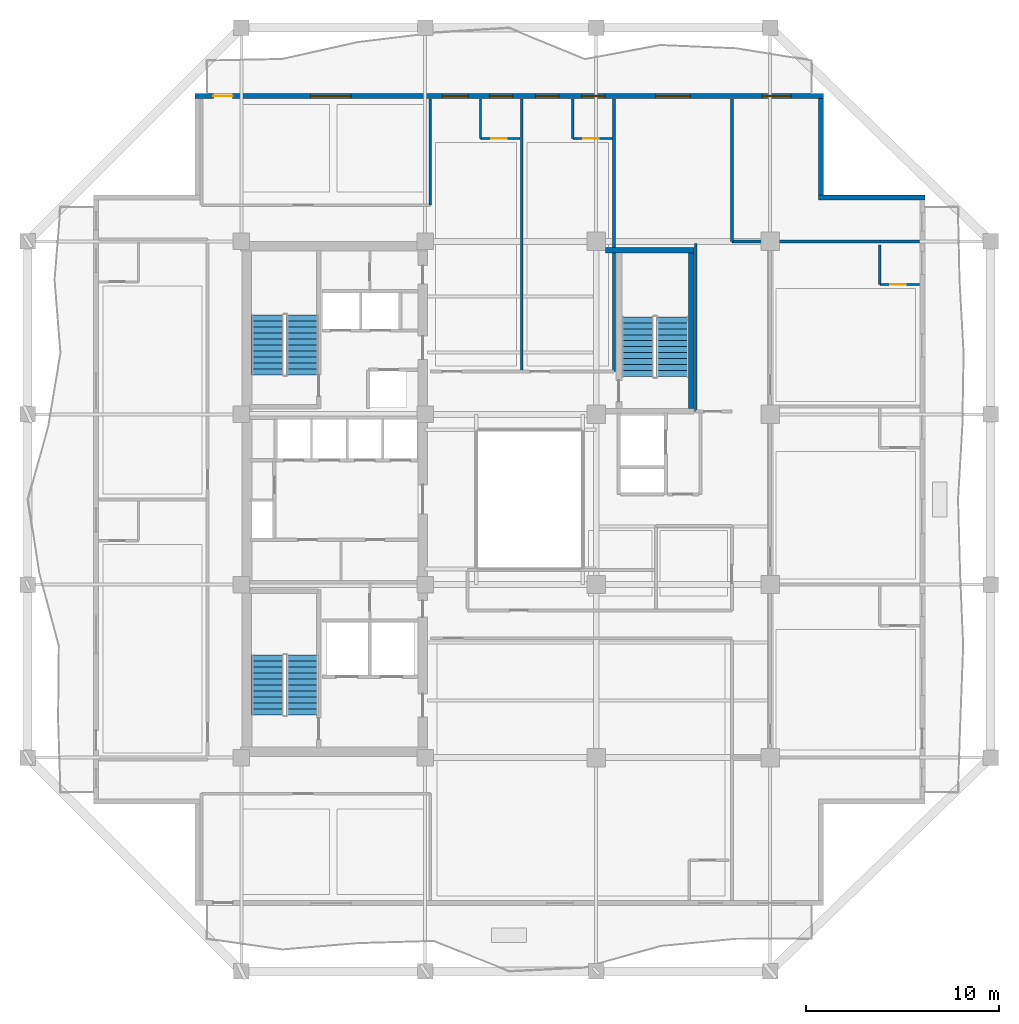
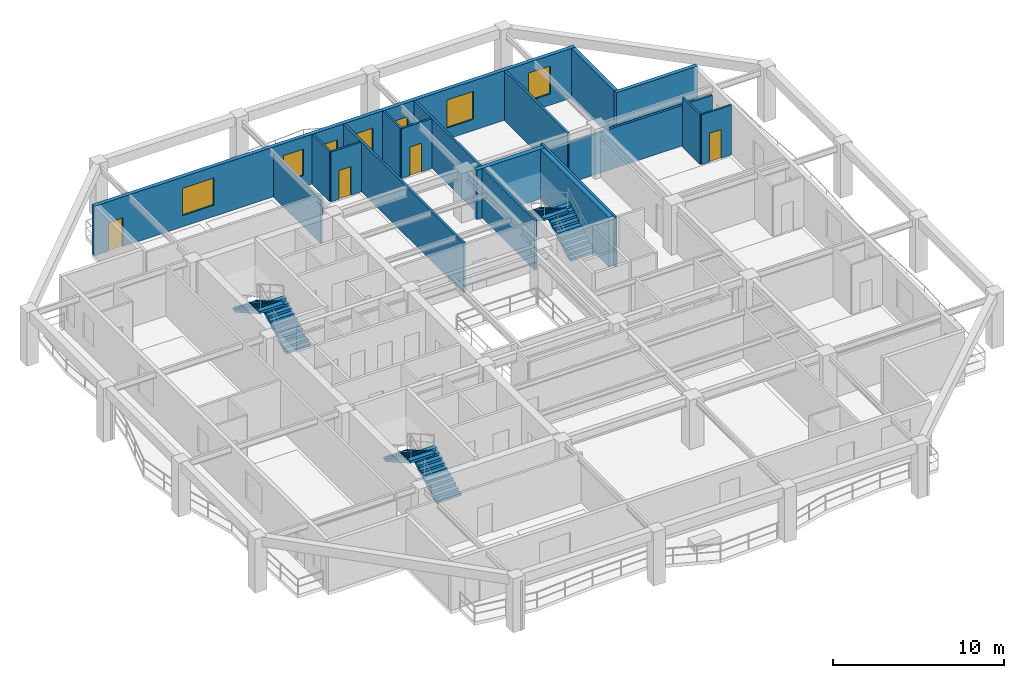
# One storey, part 6 of 12: 17 walls, 7 windows, 6 stair flights, 4 doors, 11 openings, 3 elements without a shape of their own.
"""IFC4 building model written with IfcOpenShell, lengths in metres."""

from ifc_helpers import new_model, si_unit, direction, frame, frame_2d, origin, place, context, subcontext, project, spatial, polyline, rectangle, outline, extrude, material, layer, layer_set, type_object, element, fill, aggregate, save


model = new_model("IFC4")

# Units and contexts
model_context = context("Model", 3, precision=1e-05, world=origin(), true_north=direction((0.0, 1.0)))
body_context = subcontext(model_context, "Body", "Model", "MODEL_VIEW")
ifc_project = project(units=[si_unit("LENGTHUNIT", "METRE"), si_unit("AREAUNIT", "SQUARE_METRE"), si_unit("VOLUMEUNIT", "CUBIC_METRE"), si_unit("PLANEANGLEUNIT", "RADIAN"), si_unit("MASSUNIT", "GRAM", prefix="KILO")], contexts=[model_context])

# Site, building, storey
site_placement = place(None, origin())
site = spatial("IfcSite", under=ifc_project, at=site_placement, CompositionType="ELEMENT")
building_placement = place(site_placement, origin())
building = spatial("IfcBuilding", under=site, at=building_placement, Name="Kundavana Baori Tower", CompositionType="ELEMENT")
storey_placement = place(building_placement, frame((0.0, 0.0, 200.25)))
storey = spatial("IfcBuildingStorey", under=building, at=storey_placement, Name="L49", CompositionType="ELEMENT", Elevation=200.25)

# Walls
ifc_material_1 = material(Name="Kiln-Fired Terracotta Brick-Slip Masonry on Concrete C40/50", Category="masonry")
ifc_layer_1 = layer(ifc_material_1, 0.260009765625, Name="WL-EXT-BRK-260")
ifc_layer_set_1 = layer_set([ifc_layer_1], Name="Kiln-Fired Terracotta Brick-Slip Masonry on Concrete C40/50")
wall_type_1 = type_object("IfcWallType", Name="WL-EXT-BRK-260", PredefinedType="SOLIDWALL", material=ifc_layer_set_1)
wall_1_placement = place(storey_placement, frame((50.800048828125, 44.219970703125, 0.0), z_axis=(0.0, 0.0, 1.0), x_axis=(-1.0, 0.0, 0.0)))
element("IfcWall", 1, at=wall_1_placement, inside=storey, type_object=wall_type_1, Name="L49 Exterior Insulated Facade Wall 05", PredefinedType="SOLIDWALL", context=body_context, shape_type="SweptSolid", body=[
    extrude(rectangle(XDim=5.510009765625, YDim=0.260009765625, at=frame_2d((2.7548828125, 0.0))), origin(), (0.0, 0.0, 1.0), 3.550048828125),
])
wall_2_placement = place(storey_placement, frame((45.419921875, 44.35009765625, 0.0), z_axis=(0.0, 0.0, 1.0), x_axis=(0.0, 1.0, 0.0)))
element("IfcWall", 2, at=wall_2_placement, inside=storey, type_object=wall_type_1, Name="L49 Exterior Insulated Facade Wall 06", PredefinedType="SOLIDWALL", context=body_context, shape_type="SweptSolid", body=[
    extrude(rectangle(XDim=4.989990234375, YDim=0.260009765625, at=frame_2d((2.4951171875, 0.0))), origin(), (0.0, 0.0, 1.0), 3.550048828125),
])

# Wall, openings, door, windows
wall_3_placement = place(storey_placement, frame((45.550048828125, 49.469970703125, 0.0), z_axis=(0.0, 0.0, 1.0), x_axis=(-1.0, 0.0, 0.0)))
wall_3 = element("IfcWall", 3, at=wall_3_placement, inside=storey, type_object=wall_type_1, Name="L49 Exterior Insulated Facade Wall 07", PredefinedType="SOLIDWALL", context=body_context, shape_type="SweptSolid", body=[
    extrude(rectangle(XDim=32.5, YDim=0.260009765625, at=frame_2d((16.25, 0.0))), origin(), (0.0, 0.0, 1.0), 3.550048828125),
])
opening_1_placement = place(wall_3_placement, frame((30.550048828125, 0.0, 0.0)))
opening_1 = element("IfcOpeningElement", 4, at=opening_1_placement, cuts=wall_3, Name="Opening BD-1", PredefinedType="OPENING", context=body_context, shape_type="SweptSolid", body=[
    extrude(rectangle(XDim=1.0, YDim=2.050048828125, at=frame_2d((0.5, 1.02490234375))), frame((0.0, 0.14013671875, 0.0), z_axis=(0.0, -1.0, 0.0), x_axis=(1.0, 0.0, 0.0)), (0.0, 0.0, 1.0), 0.280029296875),
])
opening_2_placement = place(wall_3_placement, frame((24.419921875, 0.0, 0.800048828125)))
opening_2 = element("IfcOpeningElement", 5, at=opening_2_placement, cuts=wall_3, Name="Opening W-05", PredefinedType="OPENING", context=body_context, shape_type="SweptSolid", body=[
    extrude(rectangle(XDim=2.10009765625, YDim=1.949951171875, at=frame_2d((1.050048828125, 0.97509765625))), frame((0.0, 0.14013671875, 0.0), z_axis=(0.0, -1.0, 0.0), x_axis=(1.0, 0.0, 0.0)), (0.0, 0.0, 1.0), 0.280029296875),
])
opening_3_placement = place(wall_3_placement, frame((18.35498046875, 0.0, 0.800048828125)))
opening_3 = element("IfcOpeningElement", 6, at=opening_3_placement, cuts=wall_3, Name="Opening W-07", PredefinedType="OPENING", context=body_context, shape_type="SweptSolid", body=[
    extrude(rectangle(XDim=1.35009765625, YDim=1.89990234375, at=frame_2d((0.675048828125, 0.949951171875))), frame((0.0, 0.14013671875, 0.0), z_axis=(0.0, -1.0, 0.0), x_axis=(1.0, 0.0, 0.0)), (0.0, 0.0, 1.0), 0.280029296875),
])
opening_4_placement = place(wall_3_placement, frame((16.06494140625, 0.0, 0.800048828125)))
opening_4 = element("IfcOpeningElement", 7, at=opening_4_placement, cuts=wall_3, Name="Opening W-03", PredefinedType="OPENING", context=body_context, shape_type="SweptSolid", body=[
    extrude(rectangle(XDim=1.199951171875, YDim=1.75, at=frame_2d((0.60009765625, 0.875))), frame((0.0, 0.14013671875, 0.0), z_axis=(0.0, -1.0, 0.0), x_axis=(1.0, 0.0, 0.0)), (0.0, 0.0, 1.0), 0.280029296875),
])
opening_5_placement = place(wall_3_placement, frame((13.679931640625, 0.0, 0.800048828125)))
opening_5 = element("IfcOpeningElement", 8, at=opening_5_placement, cuts=wall_3, Name="Opening W-03", PredefinedType="OPENING", context=body_context, shape_type="SweptSolid", body=[
    extrude(rectangle(XDim=1.199951171875, YDim=1.75, at=frame_2d((0.60009765625, 0.875))), frame((0.0, 0.14013671875, 0.0), z_axis=(0.0, -1.0, 0.0), x_axis=(1.0, 0.0, 0.0)), (0.0, 0.0, 1.0), 0.280029296875),
])
opening_6_placement = place(wall_3_placement, frame((11.294921875, 0.0, 0.800048828125)))
opening_6 = element("IfcOpeningElement", 9, at=opening_6_placement, cuts=wall_3, Name="Opening W-03", PredefinedType="OPENING", context=body_context, shape_type="SweptSolid", body=[
    extrude(rectangle(XDim=1.199951171875, YDim=1.75, at=frame_2d((0.60009765625, 0.875))), frame((0.0, 0.14013671875, 0.0), z_axis=(0.0, -1.0, 0.0), x_axis=(1.0, 0.0, 0.0)), (0.0, 0.0, 1.0), 0.280029296875),
])
opening_7_placement = place(wall_3_placement, frame((6.8798828125, 0.0, 0.800048828125)))
opening_7 = element("IfcOpeningElement", 10, at=opening_7_placement, cuts=wall_3, Name="Opening W-01", PredefinedType="OPENING", context=body_context, shape_type="SweptSolid", body=[
    extrude(rectangle(XDim=1.800048828125, YDim=2.0, at=frame_2d((0.89990234375, 1.0))), frame((0.0, 0.14013671875, 0.0), z_axis=(0.0, -1.0, 0.0), x_axis=(1.0, 0.0, 0.0)), (0.0, 0.0, 1.0), 0.280029296875),
])
opening_8_placement = place(wall_3_placement, frame((1.669921875, 0.0, 0.800048828125)))
opening_8 = element("IfcOpeningElement", 11, at=opening_8_placement, cuts=wall_3, Name="Opening W-02", PredefinedType="OPENING", context=body_context, shape_type="SweptSolid", body=[
    extrude(rectangle(XDim=1.5, YDim=2.0, at=frame_2d((0.75, 1.0))), frame((0.0, 0.14013671875, 0.0), z_axis=(0.0, -1.0, 0.0), x_axis=(1.0, 0.0, 0.0)), (0.0, 0.0, 1.0), 0.280029296875),
])
ifc_material_2 = material(Name="Architectural Patinated Bronze Metalwork")
door_type_1 = type_object("IfcDoorType", Name="DR-EXT-LOG-1000", OperationType="NOTDEFINED", PredefinedType="DOOR", material=ifc_material_2)
door_1_placement = place(opening_1_placement, frame((1.0, 0.0, 0.0), z_axis=(0.0, 0.0, 1.0), x_axis=(-1.0, 0.0, 0.0)))
door_1 = element("IfcDoor", 12, at=door_1_placement, inside=storey, type_object=door_type_1, Name="L49 Loggia Balcony Access Door N", OperationType="SINGLE_SWING_LEFT", OverallHeight=2.050048828125, OverallWidth=1.0, PredefinedType="DOOR", context=body_context, shape_type="SweptSolid", body=[
    extrude(rectangle(XDim=1.0, YDim=2.050048828125, at=frame_2d((0.5, 1.02490234375))), frame((0.0, 0.02490234375, 0.0), z_axis=(0.0, -1.0, 0.0), x_axis=(1.0, 0.0, 0.0)), (0.0, 0.0, 1.0), 0.050048828125),
])
fill(opening_1, door_1)
ifc_material_3 = material(Name="Double-Glazed Solar-Control Low-E Insulated Glass", Category="glass")
window_type_1 = type_object("IfcWindowType", Name="WIN-LOG-1200x1750", PartitioningType="SINGLE_PANEL", PredefinedType="WINDOW", material=ifc_material_3)
window_1_placement = place(opening_4_placement, origin())
window_1 = element("IfcWindow", 13, at=window_1_placement, inside=storey, type_object=window_type_1, Name="L49 Recessed Loggia Window N-3", OverallHeight=1.75, OverallWidth=1.199951171875, PartitioningType="SINGLE_PANEL", PredefinedType="WINDOW", context=body_context, shape_type="SweptSolid", body=[
    extrude(rectangle(XDim=1.199951171875, YDim=1.75, at=frame_2d((0.60009765625, 0.875))), frame((0.0, 0.030029296875, 0.0), z_axis=(0.0, -1.0, 0.0), x_axis=(1.0, 0.0, 0.0)), (0.0, 0.0, 1.0), 0.06005859375),
])
fill(opening_4, window_1)
window_2_placement = place(opening_5_placement, origin())
window_2 = element("IfcWindow", 14, at=window_2_placement, inside=storey, type_object=window_type_1, Name="L49 Recessed Loggia Window N-4", OverallHeight=1.75, OverallWidth=1.199951171875, PartitioningType="SINGLE_PANEL", PredefinedType="WINDOW", context=body_context, shape_type="SweptSolid", body=[
    extrude(rectangle(XDim=1.199951171875, YDim=1.75, at=frame_2d((0.60009765625, 0.875))), frame((0.0, 0.030029296875, 0.0), z_axis=(0.0, -1.0, 0.0), x_axis=(1.0, 0.0, 0.0)), (0.0, 0.0, 1.0), 0.06005859375),
])
fill(opening_5, window_2)
window_3_placement = place(opening_6_placement, origin())
window_3 = element("IfcWindow", 15, at=window_3_placement, inside=storey, type_object=window_type_1, Name="L49 Recessed Loggia Window N-5", OverallHeight=1.75, OverallWidth=1.199951171875, PartitioningType="SINGLE_PANEL", PredefinedType="WINDOW", context=body_context, shape_type="SweptSolid", body=[
    extrude(rectangle(XDim=1.199951171875, YDim=1.75, at=frame_2d((0.60009765625, 0.875))), frame((0.0, 0.030029296875, 0.0), z_axis=(0.0, -1.0, 0.0), x_axis=(1.0, 0.0, 0.0)), (0.0, 0.0, 1.0), 0.06005859375),
])
fill(opening_6, window_3)
ifc_material_4 = material(Name="Double-Glazed Solar-Control Low-E Insulated Glass", Category="glass")
window_type_2 = type_object("IfcWindowType", Name="WIN-LOG-1350x1900", PartitioningType="SINGLE_PANEL", PredefinedType="WINDOW", material=ifc_material_4)
window_4_placement = place(opening_3_placement, origin())
window_4 = element("IfcWindow", 16, at=window_4_placement, inside=storey, type_object=window_type_2, Name="L49 Recessed Loggia Window N-2", OverallHeight=1.89990234375, OverallWidth=1.35009765625, PartitioningType="SINGLE_PANEL", PredefinedType="WINDOW", context=body_context, shape_type="SweptSolid", body=[
    extrude(rectangle(XDim=1.35009765625, YDim=1.89990234375, at=frame_2d((0.675048828125, 0.949951171875))), frame((0.0, 0.030029296875, 0.0), z_axis=(0.0, -1.0, 0.0), x_axis=(1.0, 0.0, 0.0)), (0.0, 0.0, 1.0), 0.06005859375),
])
fill(opening_3, window_4)
ifc_material_5 = material(Name="Double-Glazed Solar-Control Low-E Insulated Glass", Category="glass")
window_type_3 = type_object("IfcWindowType", Name="WIN-LOG-1500x2000", PartitioningType="SINGLE_PANEL", PredefinedType="WINDOW", material=ifc_material_5)
window_5_placement = place(opening_8_placement, origin())
window_5 = element("IfcWindow", 17, at=window_5_placement, inside=storey, type_object=window_type_3, Name="L49 Recessed Loggia Window N-7", OverallHeight=2.0, OverallWidth=1.5, PartitioningType="SINGLE_PANEL", PredefinedType="WINDOW", context=body_context, shape_type="SweptSolid", body=[
    extrude(rectangle(XDim=1.5, YDim=2.0, at=frame_2d((0.75, 1.0))), frame((0.0, 0.030029296875, 0.0), z_axis=(0.0, -1.0, 0.0), x_axis=(1.0, 0.0, 0.0)), (0.0, 0.0, 1.0), 0.06005859375),
])
fill(opening_8, window_5)
ifc_material_6 = material(Name="Double-Glazed Solar-Control Low-E Insulated Glass", Category="glass")
window_type_4 = type_object("IfcWindowType", Name="WIN-LOG-1800x2000", PartitioningType="SINGLE_PANEL", PredefinedType="WINDOW", material=ifc_material_6)
window_6_placement = place(opening_7_placement, origin())
window_6 = element("IfcWindow", 18, at=window_6_placement, inside=storey, type_object=window_type_4, Name="L49 Recessed Loggia Window N-6", OverallHeight=2.0, OverallWidth=1.800048828125, PartitioningType="SINGLE_PANEL", PredefinedType="WINDOW", context=body_context, shape_type="SweptSolid", body=[
    extrude(rectangle(XDim=1.800048828125, YDim=2.0, at=frame_2d((0.89990234375, 1.0))), frame((0.0, 0.030029296875, 0.0), z_axis=(0.0, -1.0, 0.0), x_axis=(1.0, 0.0, 0.0)), (0.0, 0.0, 1.0), 0.06005859375),
])
fill(opening_7, window_6)
ifc_material_7 = material(Name="Double-Glazed Solar-Control Low-E Insulated Glass", Category="glass")
window_type_5 = type_object("IfcWindowType", Name="WIN-LOG-2100x1950", PartitioningType="SINGLE_PANEL", PredefinedType="WINDOW", material=ifc_material_7)
window_7_placement = place(opening_2_placement, origin())
window_7 = element("IfcWindow", 19, at=window_7_placement, inside=storey, type_object=window_type_5, Name="L49 Recessed Loggia Window N-1", OverallHeight=1.949951171875, OverallWidth=2.10009765625, PartitioningType="SINGLE_PANEL", PredefinedType="WINDOW", context=body_context, shape_type="SweptSolid", body=[
    extrude(rectangle(XDim=2.10009765625, YDim=1.949951171875, at=frame_2d((1.050048828125, 0.97509765625))), frame((0.0, 0.030029296875, 0.0), z_axis=(0.0, -1.0, 0.0), x_axis=(1.0, 0.0, 0.0)), (0.0, 0.0, 1.0), 0.06005859375),
])
fill(opening_2, window_7)

# Walls
ifc_material_8 = material(Name="Fire-Rated Gypsum Drywall on Galvanised Steel Studs", Category="steel")
ifc_layer_2 = layer(ifc_material_8, 0.14990234375, Name="WL-PART-150")
ifc_layer_set_2 = layer_set([ifc_layer_2], Name="Fire-Rated Gypsum Drywall on Galvanised Steel Studs")
wall_type_2 = type_object("IfcWallType", Name="WL-PART-150", PredefinedType="PARTITIONING", material=ifc_layer_set_2)
wall_4_placement = place(storey_placement, frame((40.820068359375, 41.949951171875, 0.0), z_axis=(0.0, 0.0, 1.0), x_axis=(1.0, 0.0, 0.0)))
element("IfcWall", 20, at=wall_4_placement, inside=storey, type_object=wall_type_2, Name="WL-L49-HEN", PredefinedType="PARTITIONING", context=body_context, shape_type="SweptSolid", body=[
    extrude(rectangle(XDim=9.699951171875, YDim=0.14990234375, at=frame_2d((4.85009765625, 0.0))), origin(), (0.0, 0.0, 1.0), 2.89990234375),
])
wall_5_placement = place(storey_placement, frame((25.219970703125, 43.820068359375, 0.0), z_axis=(0.0, 0.0, 1.0), x_axis=(0.0, 1.0, 0.0)))
element("IfcWall", 21, at=wall_5_placement, inside=storey, type_object=wall_type_2, Name="WL-L49-HNCE", PredefinedType="PARTITIONING", context=body_context, shape_type="SweptSolid", body=[
    extrude(rectangle(XDim=5.5, YDim=0.14990234375, at=frame_2d((2.75, 0.0))), origin(), (0.0, 0.0, 1.0), 3.10009765625),
])
wall_6_placement = place(storey_placement, frame((34.719970703125, 35.219970703125, 0.0), z_axis=(0.0, 0.0, 1.0), x_axis=(0.0, 1.0, 0.0)))
element("IfcWall", 22, at=wall_6_placement, inside=storey, type_object=wall_type_2, Name="WL-L49-HNEND", PredefinedType="PARTITIONING", context=body_context, shape_type="SweptSolid", body=[
    extrude(rectangle(XDim=14.10009765625, YDim=0.14990234375, at=frame_2d((7.050048828125, 0.0))), origin(), (0.0, 0.0, 1.0), 3.550048828125),
])
wall_7_placement = place(storey_placement, frame((29.949951171875, 35.300048828125, 0.0), z_axis=(0.0, 0.0, 1.0), x_axis=(0.0, 1.0, 0.0)))
element("IfcWall", 23, at=wall_7_placement, inside=storey, type_object=wall_type_2, Name="WL-L49-HND1", PredefinedType="PARTITIONING", context=body_context, shape_type="SweptSolid", body=[
    extrude(rectangle(XDim=14.02001953125, YDim=0.14990234375, at=frame_2d((7.010009765625, 0.0))), origin(), (0.0, 0.0, 1.0), 3.550048828125),
])
wall_8_placement = place(storey_placement, frame((38.949951171875, 33.14990234375, 0.0), z_axis=(0.0, 0.0, 1.0), x_axis=(0.0, 1.0, 0.0)))
element("IfcWall", 24, at=wall_8_placement, inside=storey, type_object=wall_type_2, Name="WL-L49-HNEW", PredefinedType="PARTITIONING", context=body_context, shape_type="SweptSolid", body=[
    extrude(rectangle(XDim=8.7001953125, YDim=0.14990234375, at=frame_2d((4.35009765625, 0.0))), origin(), (0.0, 0.0, 1.0), 3.550048828125),
])
wall_9_placement = place(storey_placement, frame((40.820068359375, 41.949951171875, 0.0), z_axis=(0.0, 0.0, 1.0), x_axis=(0.0, 1.0, 0.0)))
element("IfcWall", 25, at=wall_9_placement, inside=storey, type_object=wall_type_2, Name="WL-L49-HNEE", PredefinedType="PARTITIONING", context=body_context, shape_type="SweptSolid", body=[
    extrude(rectangle(XDim=7.3701171875, YDim=0.14990234375, at=frame_2d((3.68505859375, 0.0))), origin(), (0.0, 0.0, 1.0), 3.550048828125),
])
ifc_material_9 = material(Name="Concrete C50/60", Category="concrete")
ifc_layer_3 = layer(ifc_material_9, 0.300048828125, Name="WL-ST3-300")
ifc_layer_set_3 = layer_set([ifc_layer_3], Name="Concrete C50/60")
wall_type_3 = type_object("IfcWallType", Name="WL-ST3-300", PredefinedType="SHEAR", material=ifc_layer_set_3)
wall_10_placement = place(storey_placement, frame((34.27490234375, 41.489990234375, 0.0), z_axis=(0.0, 0.0, 1.0), x_axis=(1.0, 0.0, 0.0)))
element("IfcWall", 26, at=wall_10_placement, inside=storey, type_object=wall_type_3, Name="L49 Stair ST3 North Shear Wall", PredefinedType="SHEAR", context=body_context, shape_type="SweptSolid", body=[
    extrude(rectangle(XDim=4.59521484375, YDim=0.300048828125, at=frame_2d((2.297607421875, 0.0))), origin(), (0.0, 0.0, 1.0), 3.550048828125),
])
wall_11_placement = place(storey_placement, frame((38.719970703125, 33.31005859375, 0.0), z_axis=(0.0, 0.0, 1.0), x_axis=(0.0, 1.0, 0.0)))
element("IfcWall", 27, at=wall_11_placement, inside=storey, type_object=wall_type_3, Name="L49 Stair ST3 East Shear Wall", PredefinedType="SHEAR", context=body_context, shape_type="SweptSolid", body=[
    extrude(rectangle(XDim=8.030029296875, YDim=0.300048828125, at=frame_2d((4.01513671875, 0.0))), origin(), (0.0, 0.0, 1.0), 3.550048828125),
])
ifc_material_10 = material(Name="Autoclaved Aerated Concrete Blockwork Masonry", Category="masonry")
ifc_layer_4 = layer(ifc_material_10, 0.125, Name="WL-WET-120")
ifc_layer_set_4 = layer_set([ifc_layer_4], Name="Autoclaved Aerated Concrete Blockwork Masonry")
wall_type_4 = type_object("IfcWallType", Name="WL-WET-120", PredefinedType="PLUMBINGWALL", material=ifc_layer_set_4)
wall_12_placement = place(storey_placement, frame((48.469970703125, 39.719970703125, 0.0), z_axis=(0.0, 0.0, 1.0), x_axis=(0.0, 1.0, 0.0)))
element("IfcWall", 28, at=wall_12_placement, inside=storey, type_object=wall_type_4, Name="WL-L49-HK-E3-BW", PredefinedType="PLUMBINGWALL", context=body_context, shape_type="SweptSolid", body=[
    extrude(rectangle(XDim=2.050048828125, YDim=0.125, at=frame_2d((1.02490234375, 0.0))), origin(), (0.0, 0.0, 1.0), 3.550048828125),
])

# Wall, opening, door
wall_13_placement = place(storey_placement, frame((48.469970703125, 39.719970703125, 0.0), z_axis=(0.0, 0.0, 1.0), x_axis=(1.0, 0.0, 0.0)))
wall_13 = element("IfcWall", 29, at=wall_13_placement, inside=storey, type_object=wall_type_4, Name="WL-L49-HK-E3-BS", PredefinedType="PLUMBINGWALL", context=body_context, shape_type="SweptSolid", body=[
    extrude(rectangle(XDim=2.050048828125, YDim=0.125, at=frame_2d((1.02490234375, 0.0))), origin(), (0.0, 0.0, 1.0), 3.550048828125),
])
opening_9_placement = place(wall_13_placement, frame((0.550048828125, 0.0, 0.0)))
opening_9 = element("IfcOpeningElement", 30, at=opening_9_placement, cuts=wall_13, Name="Opening WD-080", PredefinedType="OPENING", context=body_context, shape_type="SweptSolid", body=[
    extrude(rectangle(XDim=0.800048828125, YDim=2.050048828125, at=frame_2d((0.39990234375, 1.02490234375))), frame((0.0, 0.072509765625, 0.0), z_axis=(0.0, -1.0, 0.0), x_axis=(1.0, 0.0, 0.0)), (0.0, 0.0, 1.0), 0.14501953125),
])
ifc_material_11 = material(Name="Engineered Teak Solid-Core Timber Veneer", Category="wood")
door_type_2 = type_object("IfcDoorType", Name="DR-WET-800", OperationType="NOTDEFINED", PredefinedType="DOOR", material=ifc_material_11)
door_2_placement = place(opening_9_placement, frame((0.800048828125, 0.0, 0.0), z_axis=(0.0, 0.0, 1.0), x_axis=(-1.0, 0.0, 0.0)))
door_2 = element("IfcDoor", 31, at=door_2_placement, inside=storey, type_object=door_type_2, Name="DR-L49-HK-E3-ENS", OperationType="SINGLE_SWING_LEFT", OverallHeight=2.050048828125, OverallWidth=0.800048828125, PredefinedType="DOOR", context=body_context, shape_type="SweptSolid", body=[
    extrude(rectangle(XDim=0.800048828125, YDim=2.050048828125, at=frame_2d((0.39990234375, 1.02490234375))), frame((0.0, 0.02490234375, 0.0), z_axis=(0.0, -1.0, 0.0), x_axis=(1.0, 0.0, 0.0)), (0.0, 0.0, 1.0), 0.050048828125),
])
fill(opening_9, door_2)

# Wall
wall_14_placement = place(storey_placement, frame((27.820068359375, 47.27001953125, 0.0), z_axis=(0.0, 0.0, 1.0), x_axis=(0.0, 1.0, 0.0)))
element("IfcWall", 32, at=wall_14_placement, inside=storey, type_object=wall_type_4, Name="WL-L49-HK-N1-BW", PredefinedType="PLUMBINGWALL", context=body_context, shape_type="SweptSolid", body=[
    extrude(rectangle(XDim=2.050048828125, YDim=0.125, at=frame_2d((1.02490234375, 0.0))), origin(), (0.0, 0.0, 1.0), 3.550048828125),
])

# Wall, opening, door
wall_15_placement = place(storey_placement, frame((27.820068359375, 47.27001953125, 0.0), z_axis=(0.0, 0.0, 1.0), x_axis=(1.0, 0.0, 0.0)))
wall_15 = element("IfcWall", 33, at=wall_15_placement, inside=storey, type_object=wall_type_4, Name="WL-L49-HK-N1-BS", PredefinedType="PLUMBINGWALL", context=body_context, shape_type="SweptSolid", body=[
    extrude(rectangle(XDim=2.050048828125, YDim=0.125, at=frame_2d((1.02490234375, 0.0))), origin(), (0.0, 0.0, 1.0), 3.550048828125),
])
opening_10_placement = place(wall_15_placement, frame((0.550048828125, 0.0, 0.0)))
opening_10 = element("IfcOpeningElement", 34, at=opening_10_placement, cuts=wall_15, Name="Opening WD-080", PredefinedType="OPENING", context=body_context, shape_type="SweptSolid", body=[
    extrude(rectangle(XDim=0.800048828125, YDim=2.050048828125, at=frame_2d((0.39990234375, 1.02490234375))), frame((0.0, 0.072509765625, 0.0), z_axis=(0.0, -1.0, 0.0), x_axis=(1.0, 0.0, 0.0)), (0.0, 0.0, 1.0), 0.14501953125),
])
door_3_placement = place(opening_10_placement, frame((0.800048828125, 0.0, 0.0), z_axis=(0.0, 0.0, 1.0), x_axis=(-1.0, 0.0, 0.0)))
door_3 = element("IfcDoor", 35, at=door_3_placement, inside=storey, type_object=door_type_2, Name="DR-L49-HK-N1-ENS", OperationType="SINGLE_SWING_LEFT", OverallHeight=2.050048828125, OverallWidth=0.800048828125, PredefinedType="DOOR", context=body_context, shape_type="SweptSolid", body=[
    extrude(rectangle(XDim=0.800048828125, YDim=2.050048828125, at=frame_2d((0.39990234375, 1.02490234375))), frame((0.0, 0.02490234375, 0.0), z_axis=(0.0, -1.0, 0.0), x_axis=(1.0, 0.0, 0.0)), (0.0, 0.0, 1.0), 0.050048828125),
])
fill(opening_10, door_3)

# Wall
wall_16_placement = place(storey_placement, frame((32.590087890625, 47.27001953125, 0.0), z_axis=(0.0, 0.0, 1.0), x_axis=(0.0, 1.0, 0.0)))
element("IfcWall", 36, at=wall_16_placement, inside=storey, type_object=wall_type_4, Name="WL-L49-HK-N2-BW", PredefinedType="PLUMBINGWALL", context=body_context, shape_type="SweptSolid", body=[
    extrude(rectangle(XDim=2.050048828125, YDim=0.125, at=frame_2d((1.02490234375, 0.0))), origin(), (0.0, 0.0, 1.0), 3.550048828125),
])

# Wall, opening, door
wall_17_placement = place(storey_placement, frame((32.590087890625, 47.27001953125, 0.0), z_axis=(0.0, 0.0, 1.0), x_axis=(1.0, 0.0, 0.0)))
wall_17 = element("IfcWall", 37, at=wall_17_placement, inside=storey, type_object=wall_type_4, Name="WL-L49-HK-N2-BS", PredefinedType="PLUMBINGWALL", context=body_context, shape_type="SweptSolid", body=[
    extrude(rectangle(XDim=2.0498046875, YDim=0.125, at=frame_2d((1.02490234375, 0.0))), origin(), (0.0, 0.0, 1.0), 3.550048828125),
])
opening_11_placement = place(wall_17_placement, frame((0.550048828125, 0.0, 0.0)))
opening_11 = element("IfcOpeningElement", 38, at=opening_11_placement, cuts=wall_17, Name="Opening WD-080", PredefinedType="OPENING", context=body_context, shape_type="SweptSolid", body=[
    extrude(rectangle(XDim=0.800048828125, YDim=2.050048828125, at=frame_2d((0.39990234375, 1.02490234375))), frame((0.0, 0.072509765625, 0.0), z_axis=(0.0, -1.0, 0.0), x_axis=(1.0, 0.0, 0.0)), (0.0, 0.0, 1.0), 0.14501953125),
])
door_4_placement = place(opening_11_placement, frame((0.800048828125, 0.0, 0.0), z_axis=(0.0, 0.0, 1.0), x_axis=(-1.0, 0.0, 0.0)))
door_4 = element("IfcDoor", 39, at=door_4_placement, inside=storey, type_object=door_type_2, Name="DR-L49-HK-N2-ENS", OperationType="SINGLE_SWING_LEFT", OverallHeight=2.050048828125, OverallWidth=0.800048828125, PredefinedType="DOOR", context=body_context, shape_type="SweptSolid", body=[
    extrude(rectangle(XDim=0.800048828125, YDim=2.050048828125, at=frame_2d((0.39990234375, 1.02490234375))), frame((0.0, 0.02490234375, 0.0), z_axis=(0.0, -1.0, 0.0), x_axis=(1.0, 0.0, 0.0)), (0.0, 0.0, 1.0), 0.050048828125),
])
fill(opening_11, door_4)

# Stair, stair flights
ifc_material_12 = material(Name="Concrete C40/50", Category="concrete")
stair_type = type_object("IfcStairType", Name="STR-DOG-1650", PredefinedType="HALF_TURN_STAIR", material=ifc_material_12)
stair_1_placement = place(storey_placement, origin())
stair_1 = element("IfcStair", 40, at=stair_1_placement, inside=storey, type_object=stair_type, Name="L49 Protected Exit Stair ST1", PredefinedType="HALF_TURN_STAIR")
ifc_material_13 = material(Name="Concrete C40/50", Category="concrete")
stair_flight_type = type_object("IfcStairFlightType", Name="SFL-RC-1650", PredefinedType="STRAIGHT", material=ifc_material_13)
stair_flight_1_placement = place(storey_placement, frame((18.614990234375, 17.449951171875, 0.0), z_axis=(0.0, 0.0, 1.0), x_axis=(0.0, 1.0, 0.0)))
stair_flight_1 = element("IfcStairFlight", 41, at=stair_flight_1_placement, type_object=stair_flight_type, Name="ST1 flight 1", NumberOfRisers=11, NumberOfTreads=10, PredefinedType="STRAIGHT", RiserHeight=0.175, TreadLength=0.31, context=body_context, shape_type="SweptSolid", body=[
    extrude(outline(polyline([(0.0, 0.0), (0.0, 0.175048828125), (0.31005859375, 0.175048828125), (0.31005859375, 0.35009765625), (0.6201171875, 0.35009765625), (0.6201171875, 0.52490234375), (0.929931640625, 0.52490234375), (0.929931640625, 0.699951171875), (1.239990234375, 0.699951171875), (1.239990234375, 0.875), (1.550048828125, 0.875), (1.550048828125, 1.050048828125), (1.860107421875, 1.050048828125), (1.860107421875, 1.22509765625), (2.169921875, 1.22509765625), (2.169921875, 1.39990234375), (2.47998046875, 1.39990234375), (2.47998046875, 1.574951171875), (2.7900390625, 1.574951171875), (2.7900390625, 1.75), (3.10009765625, 1.75), (3.10009765625, 1.925048828125), (3.10009765625, 1.577880859375), (0.304931640625, 0.0), (0.0, 0.0)])), frame((0.0, 0.824951171875, 0.0), z_axis=(0.0, -1.0, 0.0), x_axis=(1.0, 0.0, 0.0)), (0.0, 0.0, 1.0), 1.64990234375),
])
stair_flight_2_placement = place(storey_placement, frame((16.804931640625, 20.550048828125, 1.925048828125), z_axis=(0.0, 0.0, 1.0), x_axis=(0.0, -1.0, 0.0)))
stair_flight_2 = element("IfcStairFlight", 42, at=stair_flight_2_placement, type_object=stair_flight_type, Name="ST1 flight 2", NumberOfRisers=11, NumberOfTreads=10, PredefinedType="STRAIGHT", RiserHeight=0.175, TreadLength=0.31, context=body_context, shape_type="SweptSolid", body=[
    extrude(outline(polyline([(0.0, 0.0), (0.0, 0.175048828125), (0.31005859375, 0.175048828125), (0.31005859375, 0.35009765625), (0.6201171875, 0.35009765625), (0.6201171875, 0.52490234375), (0.929931640625, 0.52490234375), (0.929931640625, 0.699951171875), (1.239990234375, 0.699951171875), (1.239990234375, 0.875), (1.550048828125, 0.875), (1.550048828125, 1.050048828125), (1.860107421875, 1.050048828125), (1.860107421875, 1.22509765625), (2.169921875, 1.22509765625), (2.169921875, 1.39990234375), (2.47998046875, 1.39990234375), (2.47998046875, 1.574951171875), (2.7900390625, 1.574951171875), (2.7900390625, 1.75), (3.10009765625, 1.75), (3.10009765625, 1.925048828125), (3.10009765625, 1.577880859375), (0.304931640625, 0.0), (0.0, 0.0)])), frame((0.0, 0.824951171875, 0.0), z_axis=(0.0, -1.0, 0.0), x_axis=(1.0, 0.0, 0.0)), (0.0, 0.0, 1.0), 1.64990234375),
])
aggregate(stair_1, [stair_flight_1, stair_flight_2])

stair_2_placement = place(storey_placement, origin())
stair_2 = element("IfcStair", 43, at=stair_2_placement, inside=storey, type_object=stair_type, Name="L49 Protected Exit Stair ST2", PredefinedType="HALF_TURN_STAIR")
stair_flight_3_placement = place(storey_placement, frame((18.614990234375, 35.050048828125, 0.0), z_axis=(0.0, 0.0, 1.0), x_axis=(0.0, 1.0, 0.0)))
stair_flight_3 = element("IfcStairFlight", 44, at=stair_flight_3_placement, type_object=stair_flight_type, Name="ST2 flight 1", NumberOfRisers=11, NumberOfTreads=10, PredefinedType="STRAIGHT", RiserHeight=0.175, TreadLength=0.31, context=body_context, shape_type="SweptSolid", body=[
    extrude(outline(polyline([(0.0, 0.0), (0.0, 0.175048828125), (0.31005859375, 0.175048828125), (0.31005859375, 0.35009765625), (0.6201171875, 0.35009765625), (0.6201171875, 0.52490234375), (0.929931640625, 0.52490234375), (0.929931640625, 0.699951171875), (1.239990234375, 0.699951171875), (1.239990234375, 0.875), (1.550048828125, 0.875), (1.550048828125, 1.050048828125), (1.860107421875, 1.050048828125), (1.860107421875, 1.22509765625), (2.169921875, 1.22509765625), (2.169921875, 1.39990234375), (2.47998046875, 1.39990234375), (2.47998046875, 1.574951171875), (2.7900390625, 1.574951171875), (2.7900390625, 1.75), (3.10009765625, 1.75), (3.10009765625, 1.925048828125), (3.10009765625, 1.577880859375), (0.304931640625, 0.0), (0.0, 0.0)])), frame((0.0, 0.824951171875, 0.0), z_axis=(0.0, -1.0, 0.0), x_axis=(1.0, 0.0, 0.0)), (0.0, 0.0, 1.0), 1.64990234375),
])
stair_flight_4_placement = place(storey_placement, frame((16.804931640625, 38.14990234375, 1.925048828125), z_axis=(0.0, 0.0, 1.0), x_axis=(0.0, -1.0, 0.0)))
stair_flight_4 = element("IfcStairFlight", 45, at=stair_flight_4_placement, type_object=stair_flight_type, Name="ST2 flight 2", NumberOfRisers=11, NumberOfTreads=10, PredefinedType="STRAIGHT", RiserHeight=0.175, TreadLength=0.31, context=body_context, shape_type="SweptSolid", body=[
    extrude(outline(polyline([(0.0, 0.0), (0.0, 0.175048828125), (0.31005859375, 0.175048828125), (0.31005859375, 0.35009765625), (0.6201171875, 0.35009765625), (0.6201171875, 0.52490234375), (0.929931640625, 0.52490234375), (0.929931640625, 0.699951171875), (1.239990234375, 0.699951171875), (1.239990234375, 0.875), (1.550048828125, 0.875), (1.550048828125, 1.050048828125), (1.860107421875, 1.050048828125), (1.860107421875, 1.22509765625), (2.169921875, 1.22509765625), (2.169921875, 1.39990234375), (2.47998046875, 1.39990234375), (2.47998046875, 1.574951171875), (2.7900390625, 1.574951171875), (2.7900390625, 1.75), (3.10009765625, 1.75), (3.10009765625, 1.925048828125), (3.10009765625, 1.577880859375), (0.304931640625, 0.0), (0.0, 0.0)])), frame((0.0, 0.824951171875, 0.0), z_axis=(0.0, -1.0, 0.0), x_axis=(1.0, 0.0, 0.0)), (0.0, 0.0, 1.0), 1.64990234375),
])
aggregate(stair_2, [stair_flight_3, stair_flight_4])

stair_3_placement = place(storey_placement, origin())
stair_3 = element("IfcStair", 46, at=stair_3_placement, inside=storey, type_object=stair_type, Name="L49 Protected Exit Stair ST3", PredefinedType="HALF_TURN_STAIR")
stair_flight_5_placement = place(storey_placement, frame((37.7548828125, 34.949951171875, 0.0), z_axis=(0.0, 0.0, 1.0), x_axis=(0.0, 1.0, 0.0)))
stair_flight_5 = element("IfcStairFlight", 47, at=stair_flight_5_placement, type_object=stair_flight_type, Name="ST3 flight 1", NumberOfRisers=11, NumberOfTreads=10, PredefinedType="STRAIGHT", RiserHeight=0.175, TreadLength=0.31, context=body_context, shape_type="SweptSolid", body=[
    extrude(outline(polyline([(0.0, 0.0), (0.0, 0.175048828125), (0.31005859375, 0.175048828125), (0.31005859375, 0.35009765625), (0.6201171875, 0.35009765625), (0.6201171875, 0.52490234375), (0.929931640625, 0.52490234375), (0.929931640625, 0.699951171875), (1.239990234375, 0.699951171875), (1.239990234375, 0.875), (1.550048828125, 0.875), (1.550048828125, 1.050048828125), (1.860107421875, 1.050048828125), (1.860107421875, 1.22509765625), (2.169921875, 1.22509765625), (2.169921875, 1.39990234375), (2.47998046875, 1.39990234375), (2.47998046875, 1.574951171875), (2.7900390625, 1.574951171875), (2.7900390625, 1.75), (3.10009765625, 1.75), (3.10009765625, 1.925048828125), (3.10009765625, 1.577880859375), (0.304931640625, 0.0), (0.0, 0.0)])), frame((0.0, 0.824951171875, 0.0), z_axis=(0.0, -1.0, 0.0), x_axis=(1.0, 0.0, 0.0)), (0.0, 0.0, 1.0), 1.64990234375),
])
stair_flight_6_placement = place(storey_placement, frame((35.945068359375, 38.050048828125, 1.925048828125), z_axis=(0.0, 0.0, 1.0), x_axis=(0.0, -1.0, 0.0)))
stair_flight_6 = element("IfcStairFlight", 48, at=stair_flight_6_placement, type_object=stair_flight_type, Name="ST3 flight 2", NumberOfRisers=11, NumberOfTreads=10, PredefinedType="STRAIGHT", RiserHeight=0.175, TreadLength=0.31, context=body_context, shape_type="SweptSolid", body=[
    extrude(outline(polyline([(0.0, 0.0), (0.0, 0.175048828125), (0.31005859375, 0.175048828125), (0.31005859375, 0.35009765625), (0.6201171875, 0.35009765625), (0.6201171875, 0.52490234375), (0.929931640625, 0.52490234375), (0.929931640625, 0.699951171875), (1.239990234375, 0.699951171875), (1.239990234375, 0.875), (1.550048828125, 0.875), (1.550048828125, 1.050048828125), (1.860107421875, 1.050048828125), (1.860107421875, 1.22509765625), (2.169921875, 1.22509765625), (2.169921875, 1.39990234375), (2.47998046875, 1.39990234375), (2.47998046875, 1.574951171875), (2.7900390625, 1.574951171875), (2.7900390625, 1.75), (3.10009765625, 1.75), (3.10009765625, 1.925048828125), (3.10009765625, 1.577880859375), (0.304931640625, 0.0), (0.0, 0.0)])), frame((0.0, 0.824951171875, 0.0), z_axis=(0.0, -1.0, 0.0), x_axis=(1.0, 0.0, 0.0)), (0.0, 0.0, 1.0), 1.64990234375),
])
aggregate(stair_3, [stair_flight_5, stair_flight_6])

save(model, "model.ifc")
